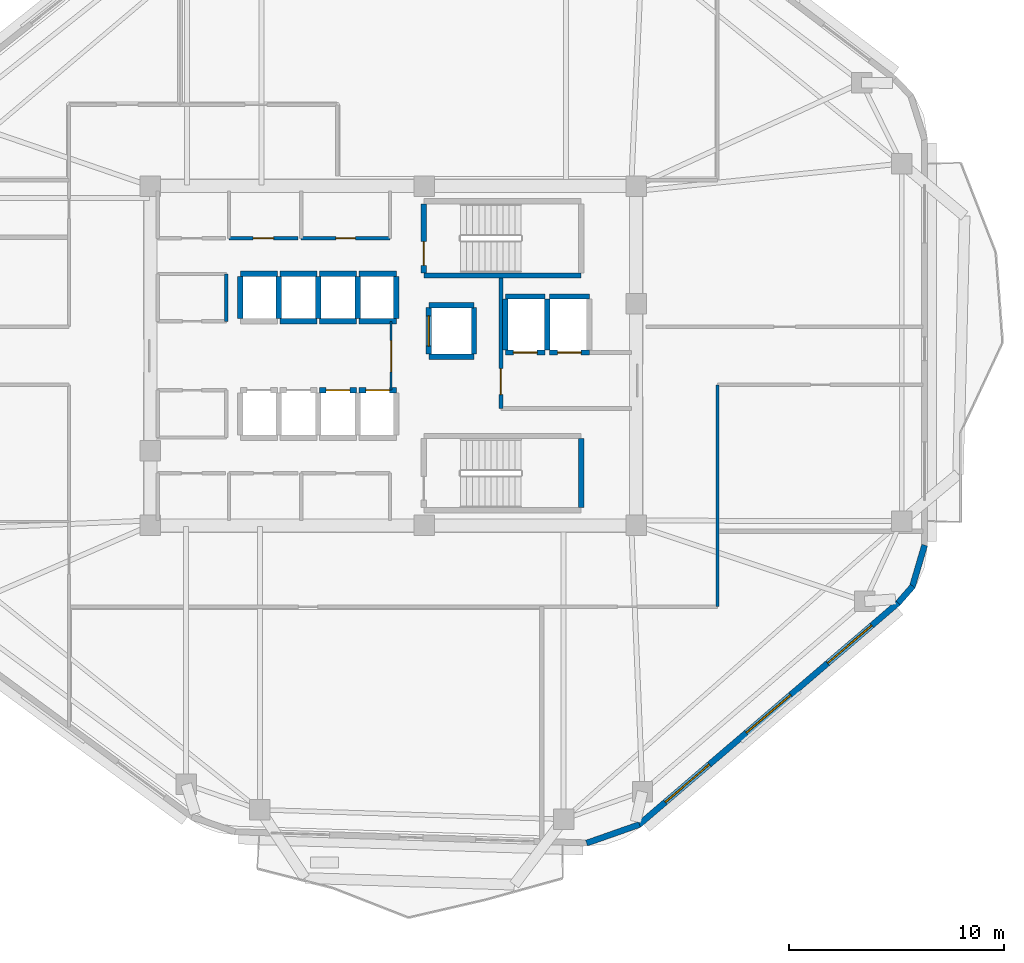
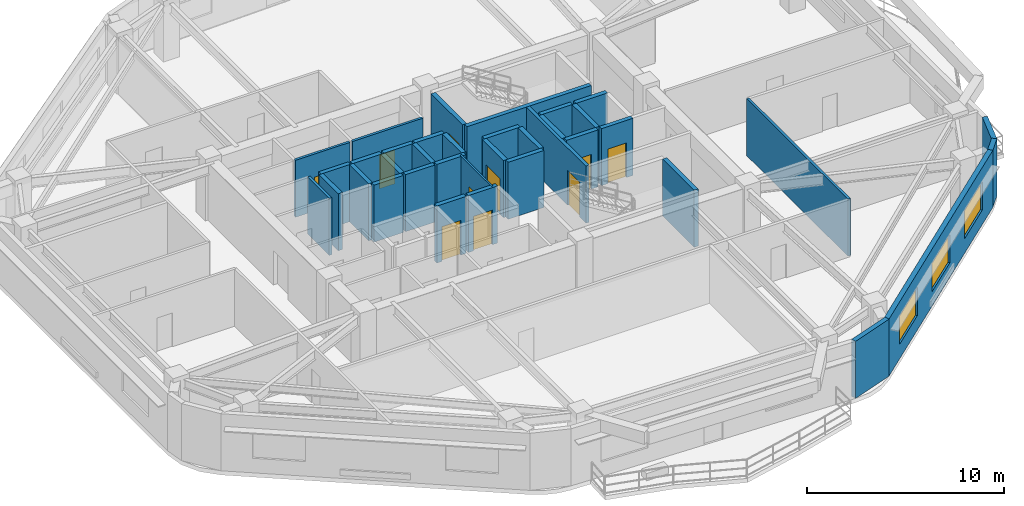
# One storey, part 4 of 8: 37 walls, 10 doors, 3 windows, 13 openings.
"""IFC4 building model written with IfcOpenShell, lengths in metres."""

from ifc_helpers import new_model, si_unit, direction, frame, frame_2d, origin, place, context, subcontext, project, spatial, rectangle, extrude, material, layer, layer_set, type_object, element, fill, save


model = new_model("IFC4")

# Units and contexts
model_context = context("Model", 3, precision=1e-05, world=origin(), true_north=direction((0.0, 1.0)))
body_context = subcontext(model_context, "Body", "Model", "MODEL_VIEW")
ifc_project = project(units=[si_unit("LENGTHUNIT", "METRE"), si_unit("AREAUNIT", "SQUARE_METRE"), si_unit("VOLUMEUNIT", "CUBIC_METRE"), si_unit("PLANEANGLEUNIT", "RADIAN"), si_unit("MASSUNIT", "GRAM", prefix="KILO")], contexts=[model_context])

# Site, building, storey
site_placement = place(None, origin())
site = spatial("IfcSite", under=ifc_project, at=site_placement, CompositionType="ELEMENT")
building_placement = place(site_placement, origin())
building = spatial("IfcBuilding", under=site, at=building_placement, Name="Zulverin Broadcast Headquarters", CompositionType="ELEMENT")
storey_placement = place(building_placement, frame((0.0, 0.0, 163.0)))
storey = spatial("IfcBuildingStorey", under=building, at=storey_placement, Name="L41", CompositionType="ELEMENT", Elevation=163.0)

# Wall, openings, windows
ifc_material_1 = material(Name="Insulated pale-metal clad concrete spandrel C40/50", Category="concrete")
ifc_layer_1 = layer(ifc_material_1, 0.280029296875, Name="Insulated pale-metal clad concrete spandrel C40/50", Category="concrete")
ifc_layer_set_1 = layer_set([ifc_layer_1], Name="Insulated pale-metal clad concrete spandrel C40/50")
wall_type_1 = type_object("IfcWallType", Name="WL-EXT-280", PredefinedType="STANDARD", material=ifc_layer_set_1)
wall_1_placement = place(storey_placement, frame((48.38525390625, 3.413818359375, 0.0), z_axis=(0.0, 0.0, 1.0), x_axis=(0.759700260779, 0.650273414628, 0.0)))
wall_1 = element("IfcWall", 1, at=wall_1_placement, inside=storey, type_object=wall_type_1, Name="L41 Pale-Metal Clad Spandrel Wall 2", PredefinedType="STANDARD", context=body_context, shape_type="SweptSolid", body=[
    extrude(rectangle(XDim=15.880859375, YDim=0.280029296875, at=frame_2d((7.9404296875, 0.0))), origin(), (0.0, 0.0, 1.0), 3.5400390625),
])
opening_1_placement = place(wall_1_placement, frame((1.630126953125, 0.0, 0.89990234375)))
opening_1 = element("IfcOpeningElement", 2, at=opening_1_placement, cuts=wall_1, Name="Opening W-L41-E21", PredefinedType="OPENING", context=body_context, shape_type="SweptSolid", body=[
    extrude(rectangle(XDim=2.699951171875, YDim=1.75, at=frame_2d((1.35009765625, 0.875))), frame((0.0, 0.14990234375, 0.0), z_axis=(0.0, -1.0, 0.0), x_axis=(1.0, 0.0, 0.0)), (0.0, 0.0, 1.0), 0.300048828125),
])
opening_2_placement = place(wall_1_placement, frame((6.59033203125, 0.0, 0.89990234375)))
opening_2 = element("IfcOpeningElement", 3, at=opening_2_placement, cuts=wall_1, Name="Opening W-L41-E22", PredefinedType="OPENING", context=body_context, shape_type="SweptSolid", body=[
    extrude(rectangle(XDim=2.699951171875, YDim=1.75, at=frame_2d((1.35009765625, 0.875))), frame((0.0, 0.14990234375, 0.0), z_axis=(0.0, -1.0, 0.0), x_axis=(1.0, 0.0, 0.0)), (0.0, 0.0, 1.0), 0.300048828125),
])
opening_3_placement = place(wall_1_placement, frame((11.55078125, 0.0, 0.89990234375)))
opening_3 = element("IfcOpeningElement", 4, at=opening_3_placement, cuts=wall_1, Name="Opening W-L41-E23", PredefinedType="OPENING", context=body_context, shape_type="SweptSolid", body=[
    extrude(rectangle(XDim=2.699951171875, YDim=1.75, at=frame_2d((1.35009765625, 0.875))), frame((0.0, 0.14990234375, 0.0), z_axis=(0.0, -1.0, 0.0), x_axis=(1.0, 0.0, 0.0)), (0.0, 0.0, 1.0), 0.300048828125),
])
ifc_material_2 = material(Name="Pale anodized aluminium frame with solar-control low-E double glazing", Category="aluminium")
window_type = type_object("IfcWindowType", Name="WIN-TWR-2700", PartitioningType="SINGLE_PANEL", PredefinedType="WINDOW", material=ifc_material_2)
window_1_placement = place(opening_1_placement, origin())
window_1 = element("IfcWindow", 5, at=window_1_placement, inside=storey, type_object=window_type, Name="L41 Ribbon Glazing Window 2 1", OverallHeight=1.75, OverallWidth=2.699951171875, PartitioningType="SINGLE_PANEL", PredefinedType="WINDOW", context=body_context, shape_type="SweptSolid", body=[
    extrude(rectangle(XDim=2.699951171875, YDim=1.75, at=frame_2d((1.35009765625, 0.875))), frame((0.0, 0.030029296875, 0.0), z_axis=(0.0, -1.0, 0.0), x_axis=(1.0, 0.0, 0.0)), (0.0, 0.0, 1.0), 0.06005859375),
])
fill(opening_1, window_1)
window_2_placement = place(opening_2_placement, origin())
window_2 = element("IfcWindow", 6, at=window_2_placement, inside=storey, type_object=window_type, Name="L41 Ribbon Glazing Window 2 2", OverallHeight=1.75, OverallWidth=2.699951171875, PartitioningType="SINGLE_PANEL", PredefinedType="WINDOW", context=body_context, shape_type="SweptSolid", body=[
    extrude(rectangle(XDim=2.699951171875, YDim=1.75, at=frame_2d((1.35009765625, 0.875))), frame((0.0, 0.030029296875, 0.0), z_axis=(0.0, -1.0, 0.0), x_axis=(1.0, 0.0, 0.0)), (0.0, 0.0, 1.0), 0.06005859375),
])
fill(opening_2, window_2)
window_3_placement = place(opening_3_placement, origin())
window_3 = element("IfcWindow", 7, at=window_3_placement, inside=storey, type_object=window_type, Name="L41 Ribbon Glazing Window 2 3", OverallHeight=1.75, OverallWidth=2.699951171875, PartitioningType="SINGLE_PANEL", PredefinedType="WINDOW", context=body_context, shape_type="SweptSolid", body=[
    extrude(rectangle(XDim=2.699951171875, YDim=1.75, at=frame_2d((1.35009765625, 0.875))), frame((0.0, 0.030029296875, 0.0), z_axis=(0.0, -1.0, 0.0), x_axis=(1.0, 0.0, 0.0)), (0.0, 0.0, 1.0), 0.06005859375),
])
fill(opening_3, window_3)

# Walls
wall_2_placement = place(storey_placement, frame((45.974609375, 2.576416015625, 0.0), z_axis=(0.0, 0.0, 1.0), x_axis=(0.943377643365, 0.331720698781, 0.0)))
element("IfcWall", 8, at=wall_2_placement, inside=storey, type_object=wall_type_1, Name="L41 Wind-Shaped Corner Spandrel Wall 1-1", PredefinedType="STANDARD", context=body_context, shape_type="SweptSolid", body=[
    extrude(rectangle(XDim=2.6025390625, YDim=0.280029296875, at=frame_2d((1.30126953125, 0.0))), origin(), (0.0, 0.0, 1.0), 3.5400390625),
])
wall_3_placement = place(storey_placement, frame((60.435791015625, 13.7265625, 0.0), z_axis=(0.0, 0.0, 1.0), x_axis=(0.658571618609, 0.752518055041, 0.0)))
element("IfcWall", 9, at=wall_3_placement, inside=storey, type_object=wall_type_1, Name="L41 Wind-Shaped Corner Spandrel Wall 2-1", PredefinedType="STANDARD", context=body_context, shape_type="SweptSolid", body=[
    extrude(rectangle(XDim=1.03173828125, YDim=0.280029296875, at=frame_2d((0.515869140625, 0.0))), origin(), (0.0, 0.0, 1.0), 3.5400390625),
])
wall_4_placement = place(storey_placement, frame((61.08642578125, 14.450439453125, 0.0), z_axis=(0.0, 0.0, 1.0), x_axis=(0.283660953453, 0.958924639107, 0.0)))
element("IfcWall", 10, at=wall_4_placement, inside=storey, type_object=wall_type_1, Name="L41 Wind-Shaped Corner Spandrel Wall 2-2", PredefinedType="STANDARD", context=body_context, shape_type="SweptSolid", body=[
    extrude(rectangle(XDim=2.04248046875, YDim=0.280029296875, at=frame_2d((1.021240234375, 0.0))), origin(), (0.0, 0.0, 1.0), 3.5400390625),
])

# Wall, opening, door
ifc_material_3 = material(Name="Concrete C40/50", Category="concrete")
ifc_layer_2 = layer(ifc_material_3, 0.199951171875, Name="Concrete C40/50", Category="concrete")
ifc_layer_set_2 = layer_set([ifc_layer_2], Name="Concrete C40/50")
wall_type_2 = type_object("IfcWallType", Name="WL-FFL-200", PredefinedType="SOLIDWALL", material=ifc_layer_set_2)
wall_5_placement = place(storey_placement, frame((42.0, 22.75, 0.0), z_axis=(0.0, 0.0, 1.0), x_axis=(0.0, 1.0, 0.0)))
wall_5 = element("IfcWall", 11, at=wall_5_placement, inside=storey, type_object=wall_type_2, Name="L41 Firefighting Lift Lobby West Wall", PredefinedType="SOLIDWALL", context=body_context, shape_type="SweptSolid", body=[
    extrude(rectangle(XDim=6.050048828125, YDim=0.199951171875, at=frame_2d((3.02490234375, 0.0))), origin(), (0.0, 0.0, 1.0), 3.5400390625),
])
opening_4_placement = place(wall_5_placement, frame((0.64990234375, 0.0, 0.0)))
opening_4 = element("IfcOpeningElement", 12, at=opening_4_placement, cuts=wall_5, Name="Opening D-L41-FFLW", PredefinedType="OPENING", context=body_context, shape_type="SweptSolid", body=[
    extrude(rectangle(XDim=1.199951171875, YDim=2.14990234375, at=frame_2d((0.60009765625, 1.074951171875))), frame((0.0, 0.10986328125, 0.0), z_axis=(0.0, -1.0, 0.0), x_axis=(1.0, 0.0, 0.0)), (0.0, 0.0, 1.0), 0.219970703125),
])
ifc_material_4 = material(Name="Fire-rated steel leaf and frame", Category="steel")
door_type_1 = type_object("IfcDoorType", Name="DR-FFL-1200", OperationType="SINGLE_SWING_RIGHT", PredefinedType="DOOR", material=ifc_material_4)
door_1_placement = place(opening_4_placement, origin())
door_1 = element("IfcDoor", 13, at=door_1_placement, inside=storey, type_object=door_type_1, Name="L41 Firefighting Lift Lobby Door", OperationType="SINGLE_SWING_RIGHT", OverallHeight=2.14990234375, OverallWidth=1.199951171875, PredefinedType="DOOR", context=body_context, shape_type="SweptSolid", body=[
    extrude(rectangle(XDim=1.199951171875, YDim=2.14990234375, at=frame_2d((0.60009765625, 1.074951171875))), frame((0.0, 0.02490234375, 0.0), z_axis=(0.0, -1.0, 0.0), x_axis=(1.0, 0.0, 0.0)), (0.0, 0.0, 1.0), 0.050048828125),
])
fill(opening_4, door_1)

ifc_material_5 = material(Name="Fire-rated acoustic laminated glass screen", Category="glass")
ifc_layer_3 = layer(ifc_material_5, 0.10009765625, Name="Fire-rated acoustic laminated glass screen", Category="glass")
ifc_layer_set_3 = layer_set([ifc_layer_3], Name="Fire-rated acoustic laminated glass screen")
wall_type_3 = type_object("IfcWallType", Name="WL-GLAZ-100", PredefinedType="PARTITIONING", material=ifc_layer_set_3)
wall_6_placement = place(storey_placement, frame((36.89990234375, 23.60009765625, 0.0), z_axis=(0.0, 0.0, 1.0), x_axis=(0.0, 1.0, 0.0)))
wall_6 = element("IfcWall", 14, at=wall_6_placement, inside=storey, type_object=wall_type_3, Name="L41 Core Goods & Stair Hall Screen", PredefinedType="PARTITIONING", context=body_context, shape_type="SweptSolid", body=[
    extrude(rectangle(XDim=3.199951171875, YDim=0.10009765625, at=frame_2d((1.60009765625, 0.0))), origin(), (0.0, 0.0, 1.0), 3.5400390625),
])
opening_5_placement = place(wall_6_placement, frame((0.85009765625, 0.0, 0.0)))
opening_5 = element("IfcOpeningElement", 15, at=opening_5_placement, cuts=wall_6, Name="Opening D-L41-CL3", PredefinedType="OPENING", context=body_context, shape_type="SweptSolid", body=[
    extrude(rectangle(XDim=1.449951171875, YDim=2.1201171875, at=frame_2d((0.72509765625, 1.06005859375))), frame((0.0, 0.06005859375, 0.0), z_axis=(0.0, -1.0, 0.0), x_axis=(1.0, 0.0, 0.0)), (0.0, 0.0, 1.0), 0.1201171875),
])
ifc_material_6 = material(Name="Fire-rated acoustic glazed double leaf", Category="glass")
door_type_2 = type_object("IfcDoorType", Name="DR-GLZ-1450", OperationType="DOUBLE_DOOR_SINGLE_SWING", PredefinedType="DOOR", material=ifc_material_6)
door_2_placement = place(opening_5_placement, origin())
door_2 = element("IfcDoor", 16, at=door_2_placement, inside=storey, type_object=door_type_2, Name="L41 Core Goods & Stair Hall Door", OperationType="DOUBLE_DOOR_SINGLE_SWING", OverallHeight=2.1201171875, OverallWidth=1.449951171875, PredefinedType="DOOR", context=body_context, shape_type="SweptSolid", body=[
    extrude(rectangle(XDim=1.449951171875, YDim=2.1201171875, at=frame_2d((0.72509765625, 1.06005859375))), frame((0.0, 0.02490234375, 0.0), z_axis=(0.0, -1.0, 0.0), x_axis=(1.0, 0.0, 0.0)), (0.0, 0.0, 1.0), 0.050048828125),
])
fill(opening_5, door_2)

ifc_material_7 = material(Name="Fire-rated gypsum stud partition", Category="gypsum")
ifc_layer_4 = layer(ifc_material_7, 0.14990234375, Name="Fire-rated gypsum stud partition", Category="gypsum")
ifc_layer_set_4 = layer_set([ifc_layer_4], Name="Fire-rated gypsum stud partition")
wall_type_4 = type_object("IfcWallType", Name="WL-PART-150", PredefinedType="PARTITIONING", material=ifc_layer_set_4)
wall_7_placement = place(storey_placement, frame((29.3798828125, 30.64990234375, 0.0), z_axis=(0.0, 0.0, 1.0), x_axis=(1.0, 0.0, 0.0)))
wall_7 = element("IfcWall", 17, at=wall_7_placement, inside=storey, type_object=wall_type_4, Name="L41 Core Accessible WC Front Wall", PredefinedType="PARTITIONING", context=body_context, shape_type="SweptSolid", body=[
    extrude(rectangle(XDim=3.190185546875, YDim=0.14990234375, at=frame_2d((1.59521484375, 0.0))), origin(), (0.0, 0.0, 1.0), 3.5400390625),
])
opening_6_placement = place(wall_7_placement, frame((1.1201171875, 0.0, 0.0)))
opening_6 = element("IfcOpeningElement", 18, at=opening_6_placement, cuts=wall_7, Name="Opening D-L41-NC2", PredefinedType="OPENING", context=body_context, shape_type="SweptSolid", body=[
    extrude(rectangle(XDim=0.949951171875, YDim=2.10009765625, at=frame_2d((0.47509765625, 1.050048828125))), frame((0.0, 0.0849609375, 0.0), z_axis=(0.0, -1.0, 0.0), x_axis=(1.0, 0.0, 0.0)), (0.0, 0.0, 1.0), 0.169921875),
])
ifc_material_8 = material(Name="Fire-rated moisture-resistant laminate leaf", Category="wood")
door_type_3 = type_object("IfcDoorType", Name="DR-WC-950", OperationType="SINGLE_SWING_LEFT", PredefinedType="DOOR", material=ifc_material_8)
door_3_placement = place(opening_6_placement, origin())
door_3 = element("IfcDoor", 19, at=door_3_placement, inside=storey, type_object=door_type_3, Name="L41 Accessible WC Door", OperationType="SINGLE_SWING_RIGHT", OverallHeight=2.10009765625, OverallWidth=0.949951171875, PredefinedType="DOOR", context=body_context, shape_type="SweptSolid", body=[
    extrude(rectangle(XDim=0.949951171875, YDim=2.10009765625, at=frame_2d((0.47509765625, 1.050048828125))), frame((0.0, 0.02490234375, 0.0), z_axis=(0.0, -1.0, 0.0), x_axis=(1.0, 0.0, 0.0)), (0.0, 0.0, 1.0), 0.050048828125),
])
fill(opening_6, door_3)

wall_8_placement = place(storey_placement, frame((32.72998046875, 30.64990234375, 0.0), z_axis=(0.0, 0.0, 1.0), x_axis=(1.0, 0.0, 0.0)))
wall_8 = element("IfcWall", 20, at=wall_8_placement, inside=storey, type_object=wall_type_4, Name="L41 Core Electrical Distribution Riser Front Wall", PredefinedType="PARTITIONING", context=body_context, shape_type="SweptSolid", body=[
    extrude(rectangle(XDim=4.1201171875, YDim=0.14990234375, at=frame_2d((2.06005859375, 0.0))), origin(), (0.0, 0.0, 1.0), 3.5400390625),
])
opening_7_placement = place(wall_8_placement, frame((1.610107421875, 0.0, 0.0)))
opening_7 = element("IfcOpeningElement", 21, at=opening_7_placement, cuts=wall_8, Name="Opening D-L41-NC3", PredefinedType="OPENING", context=body_context, shape_type="SweptSolid", body=[
    extrude(rectangle(XDim=0.89990234375, YDim=2.10009765625, at=frame_2d((0.449951171875, 1.050048828125))), frame((0.0, 0.0849609375, 0.0), z_axis=(0.0, -1.0, 0.0), x_axis=(1.0, 0.0, 0.0)), (0.0, 0.0, 1.0), 0.169921875),
])
ifc_material_9 = material(Name="Powder-coated steel access leaf", Category="steel")
door_type_4 = type_object("IfcDoorType", Name="DR-RISER-900", OperationType="SINGLE_SWING_LEFT", PredefinedType="DOOR", material=ifc_material_9)
door_4_placement = place(opening_7_placement, origin())
door_4 = element("IfcDoor", 22, at=door_4_placement, inside=storey, type_object=door_type_4, Name="L41 Electrical Distribution Riser Door", OperationType="SINGLE_SWING_LEFT", OverallHeight=2.10009765625, OverallWidth=0.89990234375, PredefinedType="DOOR", context=body_context, shape_type="SweptSolid", body=[
    extrude(rectangle(XDim=0.89990234375, YDim=2.10009765625, at=frame_2d((0.449951171875, 1.050048828125))), frame((0.0, 0.02490234375, 0.0), z_axis=(0.0, -1.0, 0.0), x_axis=(1.0, 0.0, 0.0)), (0.0, 0.0, 1.0), 0.050048828125),
])
fill(opening_7, door_4)

# Walls
wall_9_placement = place(storey_placement, frame((29.25, 26.800048828125, 0.0), z_axis=(0.0, 0.0, 1.0), x_axis=(0.0, 1.0, 0.0)))
element("IfcWall", 23, at=wall_9_placement, inside=storey, type_object=wall_type_4, Name="L41 Core UPS Battery Store E Wall", PredefinedType="PARTITIONING", context=body_context, shape_type="SweptSolid", body=[
    extrude(rectangle(XDim=2.199951171875, YDim=0.14990234375, at=frame_2d((1.10009765625, 0.0))), origin(), (0.0, 0.0, 1.0), 3.5400390625),
])
wall_10_placement = place(storey_placement, frame((52.050048828125, 13.550048828125, 0.0), z_axis=(0.0, 0.0, 1.0), x_axis=(0.0, 1.0, 0.0)))
element("IfcWall", 24, at=wall_10_placement, inside=storey, type_object=wall_type_4, Name="L41 Gallery Partition Wall CG-01", PredefinedType="PARTITIONING", context=body_context, shape_type="SweptSolid", body=[
    extrude(rectangle(XDim=10.300048828125, YDim=0.14990234375, at=frame_2d((5.14990234375, 0.0))), origin(), (0.0, 0.0, 1.0), 3.5400390625),
])
ifc_material_10 = material(Name="Concrete C50/60", Category="concrete")
ifc_layer_5 = layer(ifc_material_10, 0.25, Name="Concrete C50/60", Category="concrete")
ifc_layer_set_5 = layer_set([ifc_layer_5], Name="Concrete C50/60")
wall_type_5 = type_object("IfcWallType", Name="WL-SHAFT-250", PredefinedType="SHEAR", material=ifc_layer_set_5)
wall_11_placement = place(storey_placement, frame((38.425048828125, 28.925048828125, 0.0), z_axis=(0.0, 0.0, 1.0), x_axis=(1.0, 0.0, 0.0)))
element("IfcWall", 25, at=wall_11_placement, inside=storey, type_object=wall_type_5, Name="L41 ST-1 Enclosure Wall S", PredefinedType="SHEAR", context=body_context, shape_type="SweptSolid", body=[
    extrude(rectangle(XDim=7.300048828125, YDim=0.25, at=frame_2d((3.64990234375, 0.0))), origin(), (0.0, 0.0, 1.0), 3.5400390625),
])

# Wall, opening, door
wall_12_placement = place(storey_placement, frame((38.425048828125, 29.050048828125, 0.0), z_axis=(0.0, 0.0, 1.0), x_axis=(0.0, 1.0, 0.0)))
wall_12 = element("IfcWall", 26, at=wall_12_placement, inside=storey, type_object=wall_type_5, Name="L41 ST-1 Enclosure Wall W", PredefinedType="SHEAR", context=body_context, shape_type="SweptSolid", body=[
    extrude(rectangle(XDim=3.199951171875, YDim=0.25, at=frame_2d((1.60009765625, 0.0))), origin(), (0.0, 0.0, 1.0), 3.5400390625),
])
opening_8_placement = place(wall_12_placement, frame((0.35009765625, 0.0, 0.0)))
opening_8 = element("IfcOpeningElement", 27, at=opening_8_placement, cuts=wall_12, Name="Opening D-L41-ST-1", PredefinedType="OPENING", context=body_context, shape_type="SweptSolid", body=[
    extrude(rectangle(XDim=1.10009765625, YDim=2.14990234375, at=frame_2d((0.550048828125, 1.074951171875))), frame((0.0, 0.135009765625, 0.0), z_axis=(0.0, -1.0, 0.0), x_axis=(1.0, 0.0, 0.0)), (0.0, 0.0, 1.0), 0.27001953125),
])
door_type_5 = type_object("IfcDoorType", Name="DR-STAIR-1100", OperationType="SINGLE_SWING_LEFT", PredefinedType="DOOR", material=ifc_material_4)
door_5_placement = place(opening_8_placement, origin())
door_5 = element("IfcDoor", 28, at=door_5_placement, inside=storey, type_object=door_type_5, Name="L41 Exit Stair ST-1 Fire Door", OperationType="SINGLE_SWING_LEFT", OverallHeight=2.14990234375, OverallWidth=1.10009765625, PredefinedType="DOOR", context=body_context, shape_type="SweptSolid", body=[
    extrude(rectangle(XDim=1.10009765625, YDim=2.14990234375, at=frame_2d((0.550048828125, 1.074951171875))), frame((0.0, 0.02490234375, 0.0), z_axis=(0.0, -1.0, 0.0), x_axis=(1.0, 0.0, 0.0)), (0.0, 0.0, 1.0), 0.050048828125),
])
fill(opening_8, door_5)

# Wall
wall_13_placement = place(storey_placement, frame((45.72509765625, 18.14990234375, 0.0), z_axis=(0.0, 0.0, 1.0), x_axis=(0.0, 1.0, 0.0)))
element("IfcWall", 29, at=wall_13_placement, inside=storey, type_object=wall_type_5, Name="L41 ST-2 Enclosure Wall E", PredefinedType="SHEAR", context=body_context, shape_type="SweptSolid", body=[
    extrude(rectangle(XDim=3.2001953125, YDim=0.25, at=frame_2d((1.60009765625, 0.0))), origin(), (0.0, 0.0, 1.0), 3.5400390625),
])

# Wall, opening, door
wall_14_placement = place(storey_placement, frame((33.580078125, 23.60009765625, 0.0), z_axis=(0.0, 0.0, 1.0), x_axis=(1.0, 0.0, 0.0)))
wall_14 = element("IfcWall", 30, at=wall_14_placement, inside=storey, type_object=wall_type_5, Name="L41 Lift PL-M3 Shaft Wall N", PredefinedType="SHEAR", context=body_context, shape_type="SweptSolid", body=[
    extrude(rectangle(XDim=1.719970703125, YDim=0.25, at=frame_2d((0.85986328125, 0.0))), origin(), (0.0, 0.0, 1.0), 3.5400390625),
])
opening_9_placement = place(wall_14_placement, frame((0.31005859375, 0.0, 0.0)))
opening_9 = element("IfcOpeningElement", 31, at=opening_9_placement, cuts=wall_14, Name="Opening LD-PL-M3-L41", PredefinedType="OPENING", context=body_context, shape_type="SweptSolid", body=[
    extrude(rectangle(XDim=1.10009765625, YDim=2.14990234375, at=frame_2d((0.550048828125, 1.074951171875))), frame((0.0, 0.135009765625, 0.0), z_axis=(0.0, -1.0, 0.0), x_axis=(1.0, 0.0, 0.0)), (0.0, 0.0, 1.0), 0.27001953125),
])
ifc_material_11 = material(Name="Brushed stainless steel landing", Category="steel")
door_type_6 = type_object("IfcDoorType", Name="LD-PASS-1100", OperationType="DOUBLE_DOOR_SLIDING", PredefinedType="DOOR", material=ifc_material_11)
door_6_placement = place(opening_9_placement, origin())
door_6 = element("IfcDoor", 32, at=door_6_placement, inside=storey, type_object=door_type_6, Name="L41 Lift PL-M3 Sliding Landing Door", OperationType="DOUBLE_DOOR_SLIDING", OverallHeight=2.14990234375, OverallWidth=1.10009765625, PredefinedType="DOOR", context=body_context, shape_type="SweptSolid", body=[
    extrude(rectangle(XDim=1.10009765625, YDim=2.14990234375, at=frame_2d((0.550048828125, 1.074951171875))), frame((0.0, 0.02490234375, 0.0), z_axis=(0.0, -1.0, 0.0), x_axis=(1.0, 0.0, 0.0)), (0.0, 0.0, 1.0), 0.050048828125),
])
fill(opening_9, door_6)

wall_15_placement = place(storey_placement, frame((35.419921875, 23.60009765625, 0.0), z_axis=(0.0, 0.0, 1.0), x_axis=(1.0, 0.0, 0.0)))
wall_15 = element("IfcWall", 33, at=wall_15_placement, inside=storey, type_object=wall_type_5, Name="L41 Lift PL-M4 Shaft Wall N", PredefinedType="SHEAR", context=body_context, shape_type="SweptSolid", body=[
    extrude(rectangle(XDim=1.719970703125, YDim=0.25, at=frame_2d((0.85986328125, 0.0))), origin(), (0.0, 0.0, 1.0), 3.5400390625),
])
opening_10_placement = place(wall_15_placement, frame((0.31005859375, 0.0, 0.0)))
opening_10 = element("IfcOpeningElement", 34, at=opening_10_placement, cuts=wall_15, Name="Opening LD-PL-M4-L41", PredefinedType="OPENING", context=body_context, shape_type="SweptSolid", body=[
    extrude(rectangle(XDim=1.10009765625, YDim=2.14990234375, at=frame_2d((0.550048828125, 1.074951171875))), frame((0.0, 0.135009765625, 0.0), z_axis=(0.0, -1.0, 0.0), x_axis=(1.0, 0.0, 0.0)), (0.0, 0.0, 1.0), 0.27001953125),
])
door_7_placement = place(opening_10_placement, origin())
door_7 = element("IfcDoor", 35, at=door_7_placement, inside=storey, type_object=door_type_6, Name="L41 Lift PL-M4 Sliding Landing Door", OperationType="DOUBLE_DOOR_SLIDING", OverallHeight=2.14990234375, OverallWidth=1.10009765625, PredefinedType="DOOR", context=body_context, shape_type="SweptSolid", body=[
    extrude(rectangle(XDim=1.10009765625, YDim=2.14990234375, at=frame_2d((0.550048828125, 1.074951171875))), frame((0.0, 0.02490234375, 0.0), z_axis=(0.0, -1.0, 0.0), x_axis=(1.0, 0.0, 0.0)), (0.0, 0.0, 1.0), 0.050048828125),
])
fill(opening_10, door_7)

# Walls
wall_16_placement = place(storey_placement, frame((29.89990234375, 29.0, 0.0), z_axis=(0.0, 0.0, 1.0), x_axis=(1.0, 0.0, 0.0)))
element("IfcWall", 36, at=wall_16_placement, inside=storey, type_object=wall_type_5, Name="L41 Lift PL-H1 Shaft Wall N", PredefinedType="SHEAR", context=body_context, shape_type="SweptSolid", body=[
    extrude(rectangle(XDim=1.72021484375, YDim=0.25, at=frame_2d((0.860107421875, 0.0))), origin(), (0.0, 0.0, 1.0), 3.5400390625),
])
for number, where, z_axis, x_axis, name in (
    (37, (29.89990234375, 26.919921875, 0.0), (0.0, 0.0, 1.0), (0.0, 1.0, 0.0), "L41 Lift PL-H1 Shaft Wall W"),
    (38, (31.679931640625, 26.919921875, 0.0), (0.0, 0.0, 1.0), (0.0, 1.0, 0.0), "L41 Lift PL-H1 Shaft Wall E"),
):
    element("IfcWall", number, at=place(storey_placement, frame(where, z_axis=z_axis, x_axis=x_axis)), inside=storey, type_object=wall_type_5, Name=name, PredefinedType="SHEAR", context=body_context, shape_type="SweptSolid", body=[
        extrude(rectangle(XDim=1.9599609375, YDim=0.25, at=frame_2d((0.97998046875, 0.0))), origin(), (0.0, 0.0, 1.0), 3.5400390625),
    ])
for number, where, z_axis, x_axis, name in (
    (39, (31.739990234375, 26.800048828125, 0.0), (0.0, 0.0, 1.0), (1.0, 0.0, 0.0), "L41 Lift PL-H2 Shaft Wall S"),
    (40, (31.739990234375, 29.0, 0.0), (0.0, 0.0, 1.0), (1.0, 0.0, 0.0), "L41 Lift PL-H2 Shaft Wall N"),
):
    element("IfcWall", number, at=place(storey_placement, frame(where, z_axis=z_axis, x_axis=x_axis)), inside=storey, type_object=wall_type_5, Name=name, PredefinedType="SHEAR", context=body_context, shape_type="SweptSolid", body=[
        extrude(rectangle(XDim=1.719970703125, YDim=0.25, at=frame_2d((0.85986328125, 0.0))), origin(), (0.0, 0.0, 1.0), 3.5400390625),
    ])
wall_17_placement = place(storey_placement, frame((33.52001953125, 26.919921875, 0.0), z_axis=(0.0, 0.0, 1.0), x_axis=(0.0, 1.0, 0.0)))
element("IfcWall", 41, at=wall_17_placement, inside=storey, type_object=wall_type_5, Name="L41 Lift PL-H2 Shaft Wall E", PredefinedType="SHEAR", context=body_context, shape_type="SweptSolid", body=[
    extrude(rectangle(XDim=1.9599609375, YDim=0.25, at=frame_2d((0.97998046875, 0.0))), origin(), (0.0, 0.0, 1.0), 3.5400390625),
])
for number, where, z_axis, x_axis, name in (
    (42, (33.580078125, 26.800048828125, 0.0), (0.0, 0.0, 1.0), (1.0, 0.0, 0.0), "L41 Lift PL-H3 Shaft Wall S"),
    (43, (33.580078125, 29.0, 0.0), (0.0, 0.0, 1.0), (1.0, 0.0, 0.0), "L41 Lift PL-H3 Shaft Wall N"),
):
    element("IfcWall", number, at=place(storey_placement, frame(where, z_axis=z_axis, x_axis=x_axis)), inside=storey, type_object=wall_type_5, Name=name, PredefinedType="SHEAR", context=body_context, shape_type="SweptSolid", body=[
        extrude(rectangle(XDim=1.719970703125, YDim=0.25, at=frame_2d((0.85986328125, 0.0))), origin(), (0.0, 0.0, 1.0), 3.5400390625),
    ])
wall_18_placement = place(storey_placement, frame((35.360107421875, 26.919921875, 0.0), z_axis=(0.0, 0.0, 1.0), x_axis=(0.0, 1.0, 0.0)))
element("IfcWall", 44, at=wall_18_placement, inside=storey, type_object=wall_type_5, Name="L41 Lift PL-H3 Shaft Wall E", PredefinedType="SHEAR", context=body_context, shape_type="SweptSolid", body=[
    extrude(rectangle(XDim=1.9599609375, YDim=0.25, at=frame_2d((0.97998046875, 0.0))), origin(), (0.0, 0.0, 1.0), 3.5400390625),
])
for number, where, z_axis, x_axis, name in (
    (45, (35.419921875, 26.800048828125, 0.0), (0.0, 0.0, 1.0), (1.0, 0.0, 0.0), "L41 Lift PL-H4 Shaft Wall S"),
    (46, (35.419921875, 29.0, 0.0), (0.0, 0.0, 1.0), (1.0, 0.0, 0.0), "L41 Lift PL-H4 Shaft Wall N"),
):
    element("IfcWall", number, at=place(storey_placement, frame(where, z_axis=z_axis, x_axis=x_axis)), inside=storey, type_object=wall_type_5, Name=name, PredefinedType="SHEAR", context=body_context, shape_type="SweptSolid", body=[
        extrude(rectangle(XDim=1.719970703125, YDim=0.25, at=frame_2d((0.85986328125, 0.0))), origin(), (0.0, 0.0, 1.0), 3.5400390625),
    ])
wall_19_placement = place(storey_placement, frame((37.139892578125, 26.919921875, 0.0), z_axis=(0.0, 0.0, 1.0), x_axis=(0.0, 1.0, 0.0)))
element("IfcWall", 47, at=wall_19_placement, inside=storey, type_object=wall_type_5, Name="L41 Lift PL-H4 Shaft Wall E", PredefinedType="SHEAR", context=body_context, shape_type="SweptSolid", body=[
    extrude(rectangle(XDim=1.9599609375, YDim=0.25, at=frame_2d((0.97998046875, 0.0))), origin(), (0.0, 0.0, 1.0), 3.5400390625),
])

# Wall, opening, door
wall_20_placement = place(storey_placement, frame((42.199951171875, 25.35009765625, 0.0), z_axis=(0.0, 0.0, 1.0), x_axis=(1.0, 0.0, 0.0)))
wall_20 = element("IfcWall", 48, at=wall_20_placement, inside=storey, type_object=wall_type_5, Name="L41 Lift FFL-1 Shaft Wall S", PredefinedType="SHEAR", context=body_context, shape_type="SweptSolid", body=[
    extrude(rectangle(XDim=1.85009765625, YDim=0.25, at=frame_2d((0.925048828125, 0.0))), origin(), (0.0, 0.0, 1.0), 3.5400390625),
])
opening_11_placement = place(wall_20_placement, frame((0.375, 0.0, 0.0)))
opening_11 = element("IfcOpeningElement", 49, at=opening_11_placement, cuts=wall_20, Name="Opening LD-FFL-1-L41", PredefinedType="OPENING", context=body_context, shape_type="SweptSolid", body=[
    extrude(rectangle(XDim=1.10009765625, YDim=2.14990234375, at=frame_2d((0.550048828125, 1.074951171875))), frame((0.0, 0.135009765625, 0.0), z_axis=(0.0, -1.0, 0.0), x_axis=(1.0, 0.0, 0.0)), (0.0, 0.0, 1.0), 0.27001953125),
])
ifc_material_12 = material(Name="Fire-rated stainless landing door", Category="steel")
door_type_7 = type_object("IfcDoorType", Name="LD-FFL-1100", OperationType="DOUBLE_DOOR_SLIDING", PredefinedType="DOOR", material=ifc_material_12)
door_8_placement = place(opening_11_placement, origin())
door_8 = element("IfcDoor", 50, at=door_8_placement, inside=storey, type_object=door_type_7, Name="L41 Lift FFL-1 Sliding Landing Door", OperationType="DOUBLE_DOOR_SLIDING", OverallHeight=2.14990234375, OverallWidth=1.10009765625, PredefinedType="DOOR", context=body_context, shape_type="SweptSolid", body=[
    extrude(rectangle(XDim=1.10009765625, YDim=2.14990234375, at=frame_2d((0.550048828125, 1.074951171875))), frame((0.0, 0.02490234375, 0.0), z_axis=(0.0, -1.0, 0.0), x_axis=(1.0, 0.0, 0.0)), (0.0, 0.0, 1.0), 0.050048828125),
])
fill(opening_11, door_8)

# Walls
wall_21_placement = place(storey_placement, frame((42.199951171875, 27.949951171875, 0.0), z_axis=(0.0, 0.0, 1.0), x_axis=(1.0, 0.0, 0.0)))
element("IfcWall", 51, at=wall_21_placement, inside=storey, type_object=wall_type_5, Name="L41 Lift FFL-1 Shaft Wall N", PredefinedType="SHEAR", context=body_context, shape_type="SweptSolid", body=[
    extrude(rectangle(XDim=1.85009765625, YDim=0.25, at=frame_2d((0.925048828125, 0.0))), origin(), (0.0, 0.0, 1.0), 3.5400390625),
])
for number, where, z_axis, x_axis, name in (
    (52, (42.199951171875, 25.469970703125, 0.0), (0.0, 0.0, 1.0), (0.0, 1.0, 0.0), "L41 Lift FFL-1 Shaft Wall W"),
    (53, (44.14990234375, 25.469970703125, 0.0), (0.0, 0.0, 1.0), (0.0, 1.0, 0.0), "L41 Lift FFL-1 Shaft Wall E"),
):
    element("IfcWall", number, at=place(storey_placement, frame(where, z_axis=z_axis, x_axis=x_axis)), inside=storey, type_object=wall_type_5, Name=name, PredefinedType="SHEAR", context=body_context, shape_type="SweptSolid", body=[
        extrude(rectangle(XDim=2.360107421875, YDim=0.25, at=frame_2d((1.18017578125, 0.0))), origin(), (0.0, 0.0, 1.0), 3.5400390625),
    ])

# Wall, opening, door
wall_22_placement = place(storey_placement, frame((44.25, 25.35009765625, 0.0), z_axis=(0.0, 0.0, 1.0), x_axis=(1.0, 0.0, 0.0)))
wall_22 = element("IfcWall", 54, at=wall_22_placement, inside=storey, type_object=wall_type_5, Name="L41 Lift FFL-2 Shaft Wall S", PredefinedType="SHEAR", context=body_context, shape_type="SweptSolid", body=[
    extrude(rectangle(XDim=1.85009765625, YDim=0.25, at=frame_2d((0.925048828125, 0.0))), origin(), (0.0, 0.0, 1.0), 3.5400390625),
])
opening_12_placement = place(wall_22_placement, frame((0.375, 0.0, 0.0)))
opening_12 = element("IfcOpeningElement", 55, at=opening_12_placement, cuts=wall_22, Name="Opening LD-FFL-2-L41", PredefinedType="OPENING", context=body_context, shape_type="SweptSolid", body=[
    extrude(rectangle(XDim=1.10009765625, YDim=2.14990234375, at=frame_2d((0.550048828125, 1.074951171875))), frame((0.0, 0.135009765625, 0.0), z_axis=(0.0, -1.0, 0.0), x_axis=(1.0, 0.0, 0.0)), (0.0, 0.0, 1.0), 0.27001953125),
])
door_9_placement = place(opening_12_placement, origin())
door_9 = element("IfcDoor", 56, at=door_9_placement, inside=storey, type_object=door_type_7, Name="L41 Lift FFL-2 Sliding Landing Door", OperationType="DOUBLE_DOOR_SLIDING", OverallHeight=2.14990234375, OverallWidth=1.10009765625, PredefinedType="DOOR", context=body_context, shape_type="SweptSolid", body=[
    extrude(rectangle(XDim=1.10009765625, YDim=2.14990234375, at=frame_2d((0.550048828125, 1.074951171875))), frame((0.0, 0.02490234375, 0.0), z_axis=(0.0, -1.0, 0.0), x_axis=(1.0, 0.0, 0.0)), (0.0, 0.0, 1.0), 0.050048828125),
])
fill(opening_12, door_9)

# Walls
wall_23_placement = place(storey_placement, frame((44.25, 27.949951171875, 0.0), z_axis=(0.0, 0.0, 1.0), x_axis=(1.0, 0.0, 0.0)))
element("IfcWall", 57, at=wall_23_placement, inside=storey, type_object=wall_type_5, Name="L41 Lift FFL-2 Shaft Wall N", PredefinedType="SHEAR", context=body_context, shape_type="SweptSolid", body=[
    extrude(rectangle(XDim=1.85009765625, YDim=0.25, at=frame_2d((0.925048828125, 0.0))), origin(), (0.0, 0.0, 1.0), 3.5400390625),
])
for number, where, z_axis, x_axis, name in (
    (58, (38.64990234375, 25.14990234375, 0.0), (0.0, 0.0, 1.0), (1.0, 0.0, 0.0), "L41 Lift SVL-1 Shaft Wall S"),
    (59, (38.64990234375, 27.550048828125, 0.0), (0.0, 0.0, 1.0), (1.0, 0.0, 0.0), "L41 Lift SVL-1 Shaft Wall N"),
):
    element("IfcWall", number, at=place(storey_placement, frame(where, z_axis=z_axis, x_axis=x_axis)), inside=storey, type_object=wall_type_5, Name=name, PredefinedType="SHEAR", context=body_context, shape_type="SweptSolid", body=[
        extrude(rectangle(XDim=2.10009765625, YDim=0.25, at=frame_2d((1.050048828125, 0.0))), origin(), (0.0, 0.0, 1.0), 3.5400390625),
    ])

# Wall, opening, door
wall_24_placement = place(storey_placement, frame((38.64990234375, 25.27001953125, 0.0), z_axis=(0.0, 0.0, 1.0), x_axis=(0.0, 1.0, 0.0)))
wall_24 = element("IfcWall", 60, at=wall_24_placement, inside=storey, type_object=wall_type_5, Name="L41 Lift SVL-1 Shaft Wall W", PredefinedType="SHEAR", context=body_context, shape_type="SweptSolid", body=[
    extrude(rectangle(XDim=2.159912109375, YDim=0.25, at=frame_2d((1.080078125, 0.0))), origin(), (0.0, 0.0, 1.0), 3.5400390625),
])
opening_13_placement = place(wall_24_placement, frame((0.3798828125, 0.0, 0.0)))
opening_13 = element("IfcOpeningElement", 61, at=opening_13_placement, cuts=wall_24, Name="Opening LD-SVL-1-L41", PredefinedType="OPENING", context=body_context, shape_type="SweptSolid", body=[
    extrude(rectangle(XDim=1.39990234375, YDim=2.199951171875, at=frame_2d((0.699951171875, 1.10009765625))), frame((0.0, 0.135009765625, 0.0), z_axis=(0.0, -1.0, 0.0), x_axis=(1.0, 0.0, 0.0)), (0.0, 0.0, 1.0), 0.27001953125),
])
ifc_material_13 = material(Name="Heavy-duty stainless landing door", Category="steel")
door_type_8 = type_object("IfcDoorType", Name="LD-GOODS-1400", OperationType="DOUBLE_DOOR_SLIDING", PredefinedType="DOOR", material=ifc_material_13)
door_10_placement = place(opening_13_placement, origin())
door_10 = element("IfcDoor", 62, at=door_10_placement, inside=storey, type_object=door_type_8, Name="L41 Lift SVL-1 Sliding Landing Door", OperationType="DOUBLE_DOOR_SLIDING", OverallHeight=2.199951171875, OverallWidth=1.39990234375, PredefinedType="DOOR", context=body_context, shape_type="SweptSolid", body=[
    extrude(rectangle(XDim=1.39990234375, YDim=2.199951171875, at=frame_2d((0.699951171875, 1.10009765625))), frame((0.0, 0.02490234375, 0.0), z_axis=(0.0, -1.0, 0.0), x_axis=(1.0, 0.0, 0.0)), (0.0, 0.0, 1.0), 0.050048828125),
])
fill(opening_13, door_10)

# Wall
wall_25_placement = place(storey_placement, frame((40.75, 25.27001953125, 0.0), z_axis=(0.0, 0.0, 1.0), x_axis=(0.0, 1.0, 0.0)))
element("IfcWall", 63, at=wall_25_placement, inside=storey, type_object=wall_type_5, Name="L41 Lift SVL-1 Shaft Wall E", PredefinedType="SHEAR", context=body_context, shape_type="SweptSolid", body=[
    extrude(rectangle(XDim=2.159912109375, YDim=0.25, at=frame_2d((1.080078125, 0.0))), origin(), (0.0, 0.0, 1.0), 3.5400390625),
])

save(model, "model.ifc")
